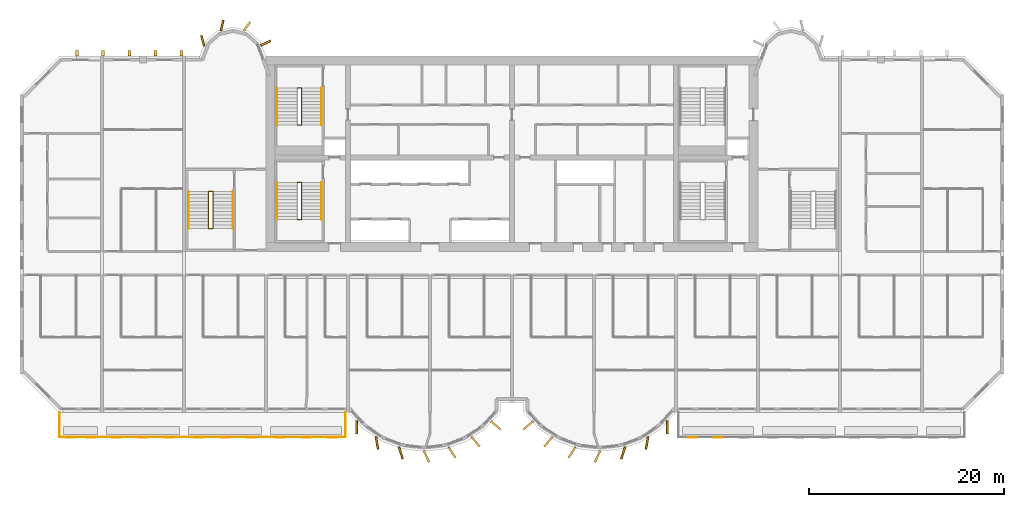
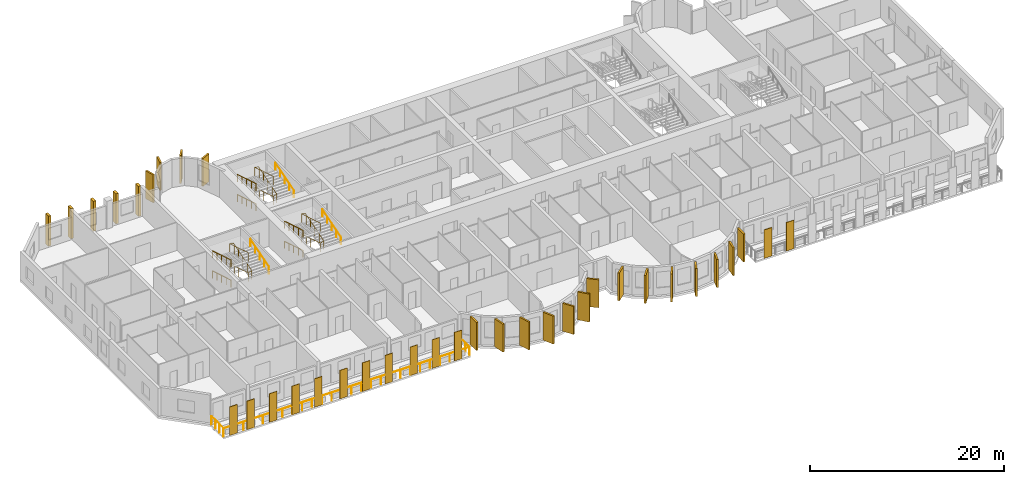
# One storey, part 13 of 15: 36 coverings, 13 railings.
"""IFC4 building model written with IfcOpenShell, lengths in metres."""

from ifc_helpers import new_model, si_unit, direction, frame, origin, origin_2d, place, context, subcontext, project, spatial, rectangle, circle, extrude, source, transform, mapped, material, layer, layer_set, material_profile, profile_set, type_object, element, save


model = new_model("IFC4")

# Units and contexts
model_context = context("Model", 3, precision=1e-05, world=origin(), true_north=direction((0.0, 1.0)))
body_context = subcontext(model_context, "Body", "Model", "MODEL_VIEW")
ifc_project = project(units=[si_unit("LENGTHUNIT", "METRE"), si_unit("AREAUNIT", "SQUARE_METRE"), si_unit("VOLUMEUNIT", "CUBIC_METRE"), si_unit("PLANEANGLEUNIT", "RADIAN"), si_unit("MASSUNIT", "GRAM", prefix="KILO")], contexts=[model_context])

# Site, building, storey
site_placement = place(None, origin())
site = spatial("IfcSite", under=ifc_project, at=site_placement, CompositionType="ELEMENT")
building_placement = place(site_placement, origin())
building = spatial("IfcBuilding", under=site, at=building_placement, Name="Vanashikhar Sky Hotel", CompositionType="ELEMENT")
storey_placement = place(building_placement, frame((0.0, 0.0, 133.199951171875)))
storey = spatial("IfcBuildingStorey", under=building, at=storey_placement, Name="L32", CompositionType="ELEMENT", Elevation=133.199951171875)

# Railing
ifc_material_1 = material(Name="Stainless steel 316", Category="steel")
railing_type_1 = type_object("IfcRailingType", Name="Balcony guard 1100", PredefinedType="GUARDRAIL", material=ifc_material_1)
shared_shape_1 = source(origin(), body_context, "Body", "SweptSolid", [
    extrude(circle(Radius=0.02392578125, at=origin_2d()), frame((0.0, 0.0, 1.076171875), z_axis=(0.0, -1.0, 0.0), x_axis=(1.0, 0.0, 0.0)), (0.0, 0.0, 1.0), 2.5),
    extrude(circle(Radius=0.02392578125, at=origin_2d()), frame((0.0, -2.5, 1.076171875), z_axis=(1.0, 0.0, 0.0), x_axis=(0.0, 1.0, 0.0)), (0.0, 0.0, 1.0), 29.280029296875),
    extrude(circle(Radius=0.02392578125, at=origin_2d()), frame((29.280029296875, -2.5, 1.076171875), z_axis=(0.0, 1.0, 0.0), x_axis=(-1.0, 0.0, 0.0)), (0.0, 0.0, 1.0), 2.5),
    extrude(circle(Radius=0.02099609375, at=origin_2d()), origin(), (0.0, 0.0, 1.0), 1.052001953125),
    extrude(circle(Radius=0.02099609375, at=origin_2d()), frame((0.0, -0.833251953125, 0.0)), (0.0, 0.0, 1.0), 1.052001953125),
    extrude(circle(Radius=0.02099609375, at=origin_2d()), frame((0.0, -1.666748046875, 0.0)), (0.0, 0.0, 1.0), 1.052001953125),
    extrude(circle(Radius=0.02099609375, at=origin_2d()), frame((0.0, -2.5, 0.0)), (0.0, 0.0, 1.0), 1.052001953125),
    extrude(circle(Radius=0.02099609375, at=origin_2d()), frame((1.171142578125, -2.5, 0.0)), (0.0, 0.0, 1.0), 1.052001953125),
    extrude(circle(Radius=0.02099609375, at=origin_2d()), frame((2.34228515625, -2.5, 0.0)), (0.0, 0.0, 1.0), 1.052001953125),
    extrude(circle(Radius=0.02099609375, at=origin_2d()), frame((3.513671875, -2.5, 0.0)), (0.0, 0.0, 1.0), 1.052001953125),
    extrude(circle(Radius=0.02099609375, at=origin_2d()), frame((4.684814453125, -2.5, 0.0)), (0.0, 0.0, 1.0), 1.052001953125),
    extrude(circle(Radius=0.02099609375, at=origin_2d()), frame((5.85595703125, -2.5, 0.0)), (0.0, 0.0, 1.0), 1.052001953125),
    extrude(circle(Radius=0.02099609375, at=origin_2d()), frame((7.027099609375, -2.5, 0.0)), (0.0, 0.0, 1.0), 1.052001953125),
    extrude(circle(Radius=0.02099609375, at=origin_2d()), frame((8.198486328125, -2.5, 0.0)), (0.0, 0.0, 1.0), 1.052001953125),
    extrude(circle(Radius=0.02099609375, at=origin_2d()), frame((9.36962890625, -2.5, 0.0)), (0.0, 0.0, 1.0), 1.052001953125),
    extrude(circle(Radius=0.02099609375, at=origin_2d()), frame((10.540771484375, -2.5, 0.0)), (0.0, 0.0, 1.0), 1.052001953125),
    extrude(circle(Radius=0.02099609375, at=origin_2d()), frame((11.7119140625, -2.5, 0.0)), (0.0, 0.0, 1.0), 1.052001953125),
    extrude(circle(Radius=0.02099609375, at=origin_2d()), frame((12.88330078125, -2.5, 0.0)), (0.0, 0.0, 1.0), 1.052001953125),
    extrude(circle(Radius=0.02099609375, at=origin_2d()), frame((14.054443359375, -2.5, 0.0)), (0.0, 0.0, 1.0), 1.052001953125),
    extrude(circle(Radius=0.02099609375, at=origin_2d()), frame((15.2255859375, -2.5, 0.0)), (0.0, 0.0, 1.0), 1.052001953125),
    extrude(circle(Radius=0.02099609375, at=origin_2d()), frame((16.396728515625, -2.5, 0.0)), (0.0, 0.0, 1.0), 1.052001953125),
    extrude(circle(Radius=0.02099609375, at=origin_2d()), frame((17.568115234375, -2.5, 0.0)), (0.0, 0.0, 1.0), 1.052001953125),
    extrude(circle(Radius=0.02099609375, at=origin_2d()), frame((18.7392578125, -2.5, 0.0)), (0.0, 0.0, 1.0), 1.052001953125),
    extrude(circle(Radius=0.02099609375, at=origin_2d()), frame((19.910400390625, -2.5, 0.0)), (0.0, 0.0, 1.0), 1.052001953125),
    extrude(circle(Radius=0.02099609375, at=origin_2d()), frame((21.08154296875, -2.5, 0.0)), (0.0, 0.0, 1.0), 1.052001953125),
    extrude(circle(Radius=0.02099609375, at=origin_2d()), frame((22.2529296875, -2.5, 0.0)), (0.0, 0.0, 1.0), 1.052001953125),
    extrude(circle(Radius=0.02099609375, at=origin_2d()), frame((23.424072265625, -2.5, 0.0)), (0.0, 0.0, 1.0), 1.052001953125),
    extrude(circle(Radius=0.02099609375, at=origin_2d()), frame((24.59521484375, -2.5, 0.0)), (0.0, 0.0, 1.0), 1.052001953125),
    extrude(circle(Radius=0.02099609375, at=origin_2d()), frame((25.766357421875, -2.5, 0.0)), (0.0, 0.0, 1.0), 1.052001953125),
    extrude(circle(Radius=0.02099609375, at=origin_2d()), frame((26.937744140625, -2.5, 0.0)), (0.0, 0.0, 1.0), 1.052001953125),
    extrude(circle(Radius=0.02099609375, at=origin_2d()), frame((28.10888671875, -2.5, 0.0)), (0.0, 0.0, 1.0), 1.052001953125),
    extrude(circle(Radius=0.02099609375, at=origin_2d()), frame((29.280029296875, -2.5, 0.0)), (0.0, 0.0, 1.0), 1.052001953125),
    extrude(circle(Radius=0.02099609375, at=origin_2d()), frame((29.280029296875, -1.666748046875, 0.0)), (0.0, 0.0, 1.0), 1.052001953125),
    extrude(circle(Radius=0.02099609375, at=origin_2d()), frame((29.280029296875, -0.833251953125, 0.0)), (0.0, 0.0, 1.0), 1.052001953125),
    extrude(circle(Radius=0.02099609375, at=origin_2d()), frame((29.280029296875, 0.0, 0.0)), (0.0, 0.0, 1.0), 1.052001953125),
])
railing_1_placement = place(storey_placement, frame((4.06005859375, 5.5, -0.050048828125)))
element("IfcRailing", 1, at=railing_1_placement, inside=storey, type_object=railing_type_1, Name="Balcony guard", PredefinedType="GUARDRAIL", context=body_context, shape_type="MappedRepresentation", body=[
    mapped(shared_shape_1, transform((0.0, 0.0, 0.0), scale=1.0)),
])

# Coverings
ifc_material_2 = material(Name="Terracotta", Category="masonry")
ifc_layer = layer(ifc_material_2, 0.06005859375)
ifc_layer_set = layer_set([ifc_layer], Name="Terracotta baguette screen")
covering_type_1 = type_object("IfcCoveringType", Name="Terracotta baguette screen", PredefinedType="CLADDING", material=ifc_layer_set)
shared_shape_2 = source(origin(), body_context, "Body", "SweptSolid", [
    extrude(rectangle(XDim=0.89990234375, YDim=0.06005859375, at=origin_2d()), origin(), (0.0, 0.0, 1.0), 3.60009765625),
])
for number, where, z_axis, x_axis, name in (
    (2, (5.175048828125, 2.929931640625, -0.050048828125), (0.0, 0.0, 1.0), (1.0, 0.0, 0.0), "Terracotta screen"),
    (3, (7.22509765625, 2.929931640625, -0.050048828125), (0.0, 0.0, 1.0), (1.0, 0.0, 0.0), "Terracotta screen"),
    (4, (9.89990234375, 2.929931640625, -0.050048828125), (0.0, 0.0, 1.0), (1.0, 0.0, 0.0), "Terracotta screen"),
    (5, (12.60009765625, 2.929931640625, -0.050048828125), (0.0, 0.0, 1.0), (1.0, 0.0, 0.0), "Terracotta screen"),
    (6, (15.300048828125, 2.929931640625, -0.050048828125), (0.0, 0.0, 1.0), (1.0, 0.0, 0.0), "Terracotta screen"),
    (7, (18.300048828125, 2.929931640625, -0.050048828125), (0.0, 0.0, 1.0), (1.0, 0.0, 0.0), "Terracotta screen"),
    (8, (21.0, 2.929931640625, -0.050048828125), (0.0, 0.0, 1.0), (1.0, 0.0, 0.0), "Terracotta screen"),
    (9, (23.699951171875, 2.929931640625, -0.050048828125), (0.0, 0.0, 1.0), (1.0, 0.0, 0.0), "Terracotta screen"),
    (10, (26.666748046875, 2.929931640625, -0.050048828125), (0.0, 0.0, 1.0), (1.0, 0.0, 0.0), "Terracotta screen"),
    (11, (29.300048828125, 2.929931640625, -0.050048828125), (0.0, 0.0, 1.0), (1.0, 0.0, 0.0), "Terracotta screen"),
    (12, (31.933349609375, 2.929931640625, -0.050048828125), (0.0, 0.0, 1.0), (1.0, 0.0, 0.0), "Terracotta screen"),
    (13, (68.86669921875, 2.929931640625, -0.050048828125), (0.0, 0.0, 1.0), (1.0, 0.0, 0.0), "Terracotta screen"),
    (14, (71.5, 2.929931640625, -0.050048828125), (0.0, 0.0, 1.0), (1.0, 0.0, 0.0), "Terracotta screen"),
):
    element("IfcCovering", number, at=place(storey_placement, frame(where, z_axis=z_axis, x_axis=x_axis)), inside=storey, type_object=covering_type_1, Name=name, PredefinedType="CLADDING", context=body_context, shape_type="MappedRepresentation", body=[
        mapped(shared_shape_2, transform((0.0, 0.0, 0.0), scale=1.0)),
    ])
ifc_material_3 = material(Name="Concrete M60 dark", Category="concrete")
ifc_material_profile_1 = material_profile(ifc_material_3, rectangle(XDim=1.300048828125, YDim=0.199951171875, at=origin_2d()))
ifc_profile_set_1 = profile_set([ifc_material_profile_1], Name="Fin 1300 x 200")
covering_type_2 = type_object("IfcCoveringType", Name="Fin 1300 x 200", PredefinedType="CLADDING", material=ifc_profile_set_1)
shared_shape_3 = source(origin(), body_context, "Body", "SweptSolid", [
    extrude(rectangle(XDim=1.300048828125, YDim=0.199951171875, at=origin_2d()), origin(), (0.0, 0.0, 1.0), 3.52001953125),
])
for number, where, z_axis, x_axis, name in (
    (15, (34.482421875, 3.992919921875, 0.0), (0.0, 0.0, 1.0), (0.011588726826, -0.999932848451, 0.0), "Fin F1-1"),
    (16, (36.572509765625, 2.3779296875, 0.0), (0.0, 0.0, 1.0), (0.16989991575, -0.985461322746, 0.0), "Fin F1-2"),
    (17, (39.00830078125, 1.35693359375, 0.0), (0.0, 0.0, 1.0), (0.303966551867, -0.952682704444, 0.0), "Fin F1-3"),
    (18, (41.63232421875, 1.00146484375, 0.0), (0.0, 0.0, 1.0), (0.422618261741, -0.906307787037, 0.0), "Fin F1-4"),
    (19, (44.251953125, 1.416015625, 0.0), (0.0, 0.0, 1.0), (0.534411358496, -0.845224526331, 0.0), "Fin F1-5"),
    (20, (46.676025390625, 2.5, 0.0), (0.0, 0.0, 1.0), (0.645697609467, -0.763593214433, 0.0), "Fin F1-6"),
    (21, (48.7412109375, 4.1845703125, 0.0), (0.0, 0.0, 1.0), (0.758543912032, -0.65162192529, 0.0), "Fin F1-7"),
    (22, (52.058837890625, 4.1845703125, 0.0), (0.0, 0.0, 1.0), (-0.758543912032, -0.65162192529, 0.0), "Fin F2-1"),
    (23, (54.123779296875, 2.5, 0.0), (0.0, 0.0, 1.0), (-0.645697609467, -0.763593214433, 0.0), "Fin F2-2"),
    (24, (56.547119140625, 1.416015625, 0.0), (0.0, 0.0, 1.0), (-0.534411358496, -0.845224526331, 0.0), "Fin F2-3"),
    (25, (59.16748046875, 1.00146484375, 0.0), (0.0, 0.0, 1.0), (-0.422618261741, -0.906307787037, 0.0), "Fin F2-4"),
    (26, (61.790771484375, 1.35693359375, 0.0), (0.0, 0.0, 1.0), (-0.303966551867, -0.952682704444, 0.0), "Fin F2-5"),
    (27, (64.2275390625, 2.3779296875, 0.0), (0.0, 0.0, 1.0), (-0.16989991575, -0.985461322746, 0.0), "Fin F2-6"),
    (28, (66.317626953125, 3.992919921875, 0.0), (0.0, 0.0, 1.0), (-0.011588726826, -0.999932848451, 0.0), "Fin F2-7"),
):
    element("IfcCovering", number, at=place(storey_placement, frame(where, z_axis=z_axis, x_axis=x_axis)), inside=storey, type_object=covering_type_2, Name=name, PredefinedType="CLADDING", context=body_context, shape_type="MappedRepresentation", body=[
        mapped(shared_shape_3, transform((0.0, 0.0, 0.0), scale=1.0)),
    ])
ifc_material_profile_2 = material_profile(ifc_material_3, rectangle(XDim=1.10009765625, YDim=0.199951171875, at=origin_2d()))
ifc_profile_set_2 = profile_set([ifc_material_profile_2], Name="Rear lobe fin 1100 x 200")
covering_type_3 = type_object("IfcCoveringType", Name="Rear lobe fin 1100 x 200", PredefinedType="CLADDING", material=ifc_profile_set_2)
shared_shape_4 = source(origin(), body_context, "Body", "SweptSolid", [
    extrude(rectangle(XDim=1.10009765625, YDim=0.199951171875, at=origin_2d()), origin(), (0.0, 0.0, 1.0), 3.52001953125),
])
for number, where, z_axis, x_axis, name in (
    (29, (18.720703125, 43.580078125, 0.0), (0.0, 0.0, 1.0), (-0.262711264409, 0.964874495234, 0.0), "Fin R1-1"),
    (30, (20.710205078125, 45.1455078125, 0.0), (0.0, 0.0, 1.0), (0.224644935864, 0.974440687159, 0.0), "Fin R1-2"),
    (31, (23.261962890625, 45.06640625, 0.0), (0.0, 0.0, 1.0), (0.602065892195, 0.798446404874, 0.0), "Fin R1-3"),
    (32, (25.169677734375, 43.33447265625, 0.0), (0.0, 0.0, 1.0), (0.908004291068, 0.418960866193, 0.0), "Fin R1-4"),
):
    element("IfcCovering", number, at=place(storey_placement, frame(where, z_axis=z_axis, x_axis=x_axis)), inside=storey, type_object=covering_type_3, Name=name, PredefinedType="CLADDING", context=body_context, shape_type="MappedRepresentation", body=[
        mapped(shared_shape_4, transform((0.0, 0.0, 0.0), scale=1.0)),
    ])
ifc_material_profile_3 = material_profile(ifc_material_3, rectangle(XDim=0.60009765625, YDim=0.300048828125, at=origin_2d()))
ifc_profile_set_3 = profile_set([ifc_material_profile_3], Name="Rear rib 600 x 300")
covering_type_4 = type_object("IfcCoveringType", Name="Rear rib 600 x 300", PredefinedType="CLADDING", material=ifc_profile_set_3)
shared_shape_5 = source(origin(), body_context, "Body", "SweptSolid", [
    extrude(rectangle(XDim=0.60009765625, YDim=0.300048828125, at=origin_2d()), origin(), (0.0, 0.0, 1.0), 3.800048828125),
])
for number, where, z_axis, x_axis, name in (
    (33, (5.840087890625, 42.300048828125, -0.280029296875), (0.0, 0.0, 1.0), (0.0, 1.0, 0.0), "Rear rib"),
    (34, (8.52001953125, 42.300048828125, -0.280029296875), (0.0, 0.0, 1.0), (0.0, 1.0, 0.0), "Rear rib"),
    (35, (11.199951171875, 42.300048828125, -0.280029296875), (0.0, 0.0, 1.0), (0.0, 1.0, 0.0), "Rear rib"),
    (36, (13.8798828125, 42.300048828125, -0.280029296875), (0.0, 0.0, 1.0), (0.0, 1.0, 0.0), "Rear rib"),
    (37, (16.56005859375, 42.300048828125, -0.280029296875), (0.0, 0.0, 1.0), (0.0, 1.0, 0.0), "Rear rib"),
):
    element("IfcCovering", number, at=place(storey_placement, frame(where, z_axis=z_axis, x_axis=x_axis)), inside=storey, type_object=covering_type_4, Name=name, PredefinedType="CLADDING", context=body_context, shape_type="MappedRepresentation", body=[
        mapped(shared_shape_5, transform((0.0, 0.0, 0.0), scale=1.0)),
    ])

# Railings
ifc_material_4 = material(Name="Steel S355", Category="steel")
railing_type_2 = type_object("IfcRailingType", Name="Stair handrail 900", PredefinedType="HANDRAIL", material=ifc_material_4)
shared_shape_6 = source(origin(), body_context, "Body", "SweptSolid", [
    extrude(circle(Radius=0.02392578125, at=origin_2d()), frame((0.0, 0.0, 0.8759765625), z_axis=(0.0, 0.95635109408, 0.292220096591), x_axis=(-1.0, 0.0, 0.0)), (0.0, 0.0, 1.0), 3.973388671875),
    extrude(circle(Radius=0.02099609375, at=origin_2d()), origin(), (0.0, 0.0, 1.0), 0.851806640625),
    extrude(circle(Radius=0.02099609375, at=origin_2d()), frame((0.0, 0.949951171875, 0.290283203125)), (0.0, 0.0, 1.0), 0.851806640625),
    extrude(circle(Radius=0.02099609375, at=origin_2d()), frame((0.0, 1.89990234375, 0.58056640625)), (0.0, 0.0, 1.0), 0.851806640625),
    extrude(circle(Radius=0.02099609375, at=origin_2d()), frame((0.0, 2.85009765625, 0.870849609375)), (0.0, 0.0, 1.0), 0.851806640625),
    extrude(circle(Radius=0.02099609375, at=origin_2d()), frame((0.0, 3.800048828125, 1.1611328125)), (0.0, 0.0, 1.0), 0.851806640625),
])
for number, where, name in (
    (38, (30.89990234375, 25.25, 1.372314453125), "Exit stair 1 handrail"),
    (39, (30.89990234375, 34.949951171875, 1.372314453125), "Exit stair 5 handrail"),
):
    element("IfcRailing", number, at=place(storey_placement, frame(where)), inside=storey, type_object=railing_type_2, Name=name, PredefinedType="HANDRAIL", context=body_context, shape_type="MappedRepresentation", body=[
        mapped(shared_shape_6, transform((0.0, 0.0, 0.0), scale=1.0)),
    ])
shared_shape_7 = source(origin(), body_context, "Body", "SweptSolid", [
    extrude(circle(Radius=0.02392578125, at=origin_2d()), frame((0.0, 0.0, 0.8759765625), z_axis=(0.0, -0.95635109408, 0.292220096591), x_axis=(1.0, 0.0, 0.0)), (0.0, 0.0, 1.0), 3.973388671875),
    extrude(circle(Radius=0.02099609375, at=origin_2d()), origin(), (0.0, 0.0, 1.0), 0.851806640625),
    extrude(circle(Radius=0.02099609375, at=origin_2d()), frame((0.0, -0.949951171875, 0.290283203125)), (0.0, 0.0, 1.0), 0.851806640625),
    extrude(circle(Radius=0.02099609375, at=origin_2d()), frame((0.0, -1.89990234375, 0.58056640625)), (0.0, 0.0, 1.0), 0.851806640625),
    extrude(circle(Radius=0.02099609375, at=origin_2d()), frame((0.0, -2.85009765625, 0.870849609375)), (0.0, 0.0, 1.0), 0.851806640625),
    extrude(circle(Radius=0.02099609375, at=origin_2d()), frame((0.0, -3.800048828125, 1.1611328125)), (0.0, 0.0, 1.0), 0.851806640625),
])
for number, where, name in (
    (40, (26.35009765625, 29.050048828125, 2.638916015625), "Exit stair 1 handrail"),
    (41, (26.35009765625, 38.75, 2.638916015625), "Exit stair 5 handrail"),
):
    element("IfcRailing", number, at=place(storey_placement, frame(where)), inside=storey, type_object=railing_type_2, Name=name, PredefinedType="HANDRAIL", context=body_context, shape_type="MappedRepresentation", body=[
        mapped(shared_shape_7, transform((0.0, 0.0, 0.0), scale=1.0)),
    ])
railing_type_3 = type_object("IfcRailingType", Name="Stair guard 1100", PredefinedType="GUARDRAIL", material=ifc_material_4)
shared_shape_8 = source(origin(), body_context, "Body", "SweptSolid", [
    extrude(circle(Radius=0.02392578125, at=origin_2d()), frame((0.0, 0.0, 1.076171875), z_axis=(-0.973520925263, 0.0, 0.228597917917), x_axis=(0.0, -1.0, 0.0)), (0.0, 0.0, 1.0), 0.46240234375),
    extrude(circle(Radius=0.02392578125, at=origin_2d()), frame((-0.4501953125, 0.0, 1.181640625), z_axis=(0.0, -0.956368263741, 0.292163899395), x_axis=(1.0, 0.0, 0.0)), (0.0, 0.0, 1.0), 3.973388671875),
    extrude(circle(Radius=0.02392578125, at=origin_2d()), frame((-0.4501953125, -3.800048828125, 2.3427734375), z_axis=(0.973520925263, 0.0, 0.228597917917), x_axis=(0.0, 1.0, 0.0)), (0.0, 0.0, 1.0), 0.46240234375),
    extrude(circle(Radius=0.02392578125, at=origin_2d()), frame((0.0, -3.800048828125, 2.4482421875), z_axis=(0.0, 0.95635109408, 0.292220096591), x_axis=(-1.0, 0.0, 0.0)), (0.0, 0.0, 1.0), 3.973388671875),
    extrude(circle(Radius=0.02392578125, at=origin_2d()), frame((0.0, 0.0, 3.609375), z_axis=(-0.973638301096, 0.0, 0.228097476179), x_axis=(0.0, -1.0, 0.0)), (0.0, 0.0, 1.0), 0.46240234375),
    extrude(circle(Radius=0.02392578125, at=origin_2d()), frame((-0.4501953125, 0.0, 3.71484375), z_axis=(0.0, -0.95635109408, 0.292220096591), x_axis=(1.0, 0.0, 0.0)), (0.0, 0.0, 1.0), 3.973388671875),
    extrude(circle(Radius=0.02099609375, at=origin_2d()), origin(), (0.0, 0.0, 1.0), 1.052001953125),
    extrude(circle(Radius=0.02099609375, at=origin_2d()), frame((-0.4501953125, 0.0, 0.105712890625)), (0.0, 0.0, 1.0), 1.052001953125),
    extrude(circle(Radius=0.02099609375, at=origin_2d()), frame((-0.4501953125, -0.949951171875, 0.39599609375)), (0.0, 0.0, 1.0), 1.052001953125),
    extrude(circle(Radius=0.02099609375, at=origin_2d()), frame((-0.4501953125, -1.89990234375, 0.68603515625)), (0.0, 0.0, 1.0), 1.052001953125),
    extrude(circle(Radius=0.02099609375, at=origin_2d()), frame((-0.4501953125, -2.85009765625, 0.976318359375)), (0.0, 0.0, 1.0), 1.052001953125),
    extrude(circle(Radius=0.02099609375, at=origin_2d()), frame((-0.4501953125, -3.800048828125, 1.2666015625)), (0.0, 0.0, 1.0), 1.052001953125),
    extrude(circle(Radius=0.02099609375, at=origin_2d()), frame((0.0, -3.800048828125, 1.372314453125)), (0.0, 0.0, 1.0), 1.052001953125),
    extrude(circle(Radius=0.02099609375, at=origin_2d()), frame((0.0, -2.85009765625, 1.66259765625)), (0.0, 0.0, 1.0), 1.052001953125),
    extrude(circle(Radius=0.02099609375, at=origin_2d()), frame((0.0, -1.89990234375, 1.952880859375)), (0.0, 0.0, 1.0), 1.052001953125),
    extrude(circle(Radius=0.02099609375, at=origin_2d()), frame((0.0, -0.949951171875, 2.2431640625)), (0.0, 0.0, 1.0), 1.052001953125),
    extrude(circle(Radius=0.02099609375, at=origin_2d()), frame((0.0, 0.0, 2.533447265625)), (0.0, 0.0, 1.0), 1.052001953125),
    extrude(circle(Radius=0.02099609375, at=origin_2d()), frame((-0.4501953125, 0.0, 2.638916015625)), (0.0, 0.0, 1.0), 1.052001953125),
    extrude(circle(Radius=0.02099609375, at=origin_2d()), frame((-0.4501953125, -0.949951171875, 2.92919921875)), (0.0, 0.0, 1.0), 1.052001953125),
    extrude(circle(Radius=0.02099609375, at=origin_2d()), frame((-0.4501953125, -1.89990234375, 3.219482421875)), (0.0, 0.0, 1.0), 1.052001953125),
    extrude(circle(Radius=0.02099609375, at=origin_2d()), frame((-0.4501953125, -2.85009765625, 3.509765625)), (0.0, 0.0, 1.0), 1.052001953125),
    extrude(circle(Radius=0.02099609375, at=origin_2d()), frame((-0.4501953125, -3.800048828125, 3.800048828125)), (0.0, 0.0, 1.0), 1.052001953125),
])
for number, where, name in (
    (42, (28.85009765625, 29.050048828125, 0.0), "Exit stair 1 guard"),
    (43, (28.85009765625, 38.75, 0.0), "Exit stair 5 guard"),
):
    element("IfcRailing", number, at=place(storey_placement, frame(where)), inside=storey, type_object=railing_type_3, Name=name, PredefinedType="GUARDRAIL", context=body_context, shape_type="MappedRepresentation", body=[
        mapped(shared_shape_8, transform((0.0, 0.0, 0.0), scale=1.0)),
    ])
shared_shape_9 = source(origin(), body_context, "Body", "SweptSolid", [
    extrude(circle(Radius=0.02392578125, at=origin_2d()), frame((0.0, 0.0, 0.8759765625), z_axis=(0.0, -0.956368263741, 0.292163899395), x_axis=(1.0, 0.0, 0.0)), (0.0, 0.0, 1.0), 3.973388671875),
    extrude(circle(Radius=0.02099609375, at=origin_2d()), origin(), (0.0, 0.0, 1.0), 0.851806640625),
    extrude(circle(Radius=0.02099609375, at=origin_2d()), frame((0.0, -0.949951171875, 0.290283203125)), (0.0, 0.0, 1.0), 0.851806640625),
    extrude(circle(Radius=0.02099609375, at=origin_2d()), frame((0.0, -1.89990234375, 0.58056640625)), (0.0, 0.0, 1.0), 0.851806640625),
    extrude(circle(Radius=0.02099609375, at=origin_2d()), frame((0.0, -2.85009765625, 0.87060546875)), (0.0, 0.0, 1.0), 0.851806640625),
    extrude(circle(Radius=0.02099609375, at=origin_2d()), frame((0.0, -3.800048828125, 1.160888671875)), (0.0, 0.0, 1.0), 0.851806640625),
])
for number, where, name in (
    (44, (26.35009765625, 29.050048828125, 0.105712890625), "Exit stair 1 handrail"),
    (45, (26.35009765625, 38.75, 0.105712890625), "Exit stair 5 handrail"),
):
    element("IfcRailing", number, at=place(storey_placement, frame(where)), inside=storey, type_object=railing_type_2, Name=name, PredefinedType="HANDRAIL", context=body_context, shape_type="MappedRepresentation", body=[
        mapped(shared_shape_9, transform((0.0, 0.0, 0.0), scale=1.0)),
    ])
shared_shape_10 = source(origin(), body_context, "Body", "SweptSolid", [
    extrude(circle(Radius=0.02392578125, at=origin_2d()), frame((0.0, 0.0, 0.8759765625), z_axis=(0.0, 0.956345846891, 0.292237268557), x_axis=(-1.0, 0.0, 0.0)), (0.0, 0.0, 1.0), 3.97314453125),
    extrude(circle(Radius=0.02099609375, at=origin_2d()), origin(), (0.0, 0.0, 1.0), 0.851806640625),
    extrude(circle(Radius=0.02099609375, at=origin_2d()), frame((0.0, 0.949951171875, 0.290283203125)), (0.0, 0.0, 1.0), 0.851806640625),
    extrude(circle(Radius=0.02099609375, at=origin_2d()), frame((0.0, 1.89990234375, 0.58056640625)), (0.0, 0.0, 1.0), 0.851806640625),
    extrude(circle(Radius=0.02099609375, at=origin_2d()), frame((0.0, 2.849853515625, 0.870849609375)), (0.0, 0.0, 1.0), 0.851806640625),
    extrude(circle(Radius=0.02099609375, at=origin_2d()), frame((0.0, 3.7998046875, 1.1611328125)), (0.0, 0.0, 1.0), 0.851806640625),
])
railing_2_placement = place(storey_placement, frame((21.800048828125, 24.35009765625, 1.372314453125)))
element("IfcRailing", 46, at=railing_2_placement, inside=storey, type_object=railing_type_2, Name="Exit stair 3 handrail", PredefinedType="HANDRAIL", context=body_context, shape_type="MappedRepresentation", body=[
    mapped(shared_shape_10, transform((0.0, 0.0, 0.0), scale=1.0)),
])
shared_shape_11 = source(origin(), body_context, "Body", "SweptSolid", [
    extrude(circle(Radius=0.02392578125, at=origin_2d()), frame((0.0, 0.0, 0.8759765625), z_axis=(0.0, -0.956345846891, 0.292237268557), x_axis=(1.0, 0.0, 0.0)), (0.0, 0.0, 1.0), 3.97314453125),
    extrude(circle(Radius=0.02099609375, at=origin_2d()), origin(), (0.0, 0.0, 1.0), 0.851806640625),
    extrude(circle(Radius=0.02099609375, at=origin_2d()), frame((0.0, -0.949951171875, 0.290283203125)), (0.0, 0.0, 1.0), 0.851806640625),
    extrude(circle(Radius=0.02099609375, at=origin_2d()), frame((0.0, -1.89990234375, 0.58056640625)), (0.0, 0.0, 1.0), 0.851806640625),
    extrude(circle(Radius=0.02099609375, at=origin_2d()), frame((0.0, -2.849853515625, 0.870849609375)), (0.0, 0.0, 1.0), 0.851806640625),
    extrude(circle(Radius=0.02099609375, at=origin_2d()), frame((0.0, -3.7998046875, 1.1611328125)), (0.0, 0.0, 1.0), 0.851806640625),
])
railing_3_placement = place(storey_placement, frame((17.25, 28.14990234375, 2.638916015625)))
element("IfcRailing", 47, at=railing_3_placement, inside=storey, type_object=railing_type_2, Name="Exit stair 3 handrail", PredefinedType="HANDRAIL", context=body_context, shape_type="MappedRepresentation", body=[
    mapped(shared_shape_11, transform((0.0, 0.0, 0.0), scale=1.0)),
])
shared_shape_12 = source(origin(), body_context, "Body", "SweptSolid", [
    extrude(circle(Radius=0.02392578125, at=origin_2d()), frame((0.0, 0.0, 1.076171875), z_axis=(-0.973493315427, 0.0, 0.228715466945), x_axis=(0.0, -1.0, 0.0)), (0.0, 0.0, 1.0), 0.462158203125),
    extrude(circle(Radius=0.02392578125, at=origin_2d()), frame((-0.449951171875, 0.0, 1.181640625), z_axis=(0.0, -0.956363018476, 0.292181068675), x_axis=(1.0, 0.0, 0.0)), (0.0, 0.0, 1.0), 3.97314453125),
    extrude(circle(Radius=0.02392578125, at=origin_2d()), frame((-0.449951171875, -3.7998046875, 2.3427734375), z_axis=(0.973493315427, 0.0, 0.228715466945), x_axis=(0.0, 1.0, 0.0)), (0.0, 0.0, 1.0), 0.462158203125),
    extrude(circle(Radius=0.02392578125, at=origin_2d()), frame((0.0, -3.7998046875, 2.4482421875), z_axis=(0.0, 0.956345846891, 0.292237268557), x_axis=(-1.0, 0.0, 0.0)), (0.0, 0.0, 1.0), 3.97314453125),
    extrude(circle(Radius=0.02392578125, at=origin_2d()), frame((0.0, 0.0, 3.609375), z_axis=(-0.973610808694, 0.0, 0.228214796178), x_axis=(0.0, -1.0, 0.0)), (0.0, 0.0, 1.0), 0.462158203125),
    extrude(circle(Radius=0.02392578125, at=origin_2d()), frame((-0.449951171875, 0.0, 3.71484375), z_axis=(0.0, -0.956345846891, 0.292237268557), x_axis=(1.0, 0.0, 0.0)), (0.0, 0.0, 1.0), 3.97314453125),
    extrude(circle(Radius=0.02099609375, at=origin_2d()), origin(), (0.0, 0.0, 1.0), 1.052001953125),
    extrude(circle(Radius=0.02099609375, at=origin_2d()), frame((-0.449951171875, 0.0, 0.105712890625)), (0.0, 0.0, 1.0), 1.052001953125),
    extrude(circle(Radius=0.02099609375, at=origin_2d()), frame((-0.449951171875, -0.949951171875, 0.39599609375)), (0.0, 0.0, 1.0), 1.052001953125),
    extrude(circle(Radius=0.02099609375, at=origin_2d()), frame((-0.449951171875, -1.89990234375, 0.68603515625)), (0.0, 0.0, 1.0), 1.052001953125),
    extrude(circle(Radius=0.02099609375, at=origin_2d()), frame((-0.449951171875, -2.849853515625, 0.976318359375)), (0.0, 0.0, 1.0), 1.052001953125),
    extrude(circle(Radius=0.02099609375, at=origin_2d()), frame((-0.449951171875, -3.7998046875, 1.2666015625)), (0.0, 0.0, 1.0), 1.052001953125),
    extrude(circle(Radius=0.02099609375, at=origin_2d()), frame((0.0, -3.7998046875, 1.372314453125)), (0.0, 0.0, 1.0), 1.052001953125),
    extrude(circle(Radius=0.02099609375, at=origin_2d()), frame((0.0, -2.849853515625, 1.66259765625)), (0.0, 0.0, 1.0), 1.052001953125),
    extrude(circle(Radius=0.02099609375, at=origin_2d()), frame((0.0, -1.89990234375, 1.952880859375)), (0.0, 0.0, 1.0), 1.052001953125),
    extrude(circle(Radius=0.02099609375, at=origin_2d()), frame((0.0, -0.949951171875, 2.2431640625)), (0.0, 0.0, 1.0), 1.052001953125),
    extrude(circle(Radius=0.02099609375, at=origin_2d()), frame((0.0, 0.0, 2.533447265625)), (0.0, 0.0, 1.0), 1.052001953125),
    extrude(circle(Radius=0.02099609375, at=origin_2d()), frame((-0.449951171875, 0.0, 2.638916015625)), (0.0, 0.0, 1.0), 1.052001953125),
    extrude(circle(Radius=0.02099609375, at=origin_2d()), frame((-0.449951171875, -0.949951171875, 2.92919921875)), (0.0, 0.0, 1.0), 1.052001953125),
    extrude(circle(Radius=0.02099609375, at=origin_2d()), frame((-0.449951171875, -1.89990234375, 3.219482421875)), (0.0, 0.0, 1.0), 1.052001953125),
    extrude(circle(Radius=0.02099609375, at=origin_2d()), frame((-0.449951171875, -2.849853515625, 3.509765625)), (0.0, 0.0, 1.0), 1.052001953125),
    extrude(circle(Radius=0.02099609375, at=origin_2d()), frame((-0.449951171875, -3.7998046875, 3.800048828125)), (0.0, 0.0, 1.0), 1.052001953125),
])
railing_4_placement = place(storey_placement, frame((19.75, 28.14990234375, 0.0)))
element("IfcRailing", 48, at=railing_4_placement, inside=storey, type_object=railing_type_3, Name="Exit stair 3 guard", PredefinedType="GUARDRAIL", context=body_context, shape_type="MappedRepresentation", body=[
    mapped(shared_shape_12, transform((0.0, 0.0, 0.0), scale=1.0)),
])
shared_shape_13 = source(origin(), body_context, "Body", "SweptSolid", [
    extrude(circle(Radius=0.02392578125, at=origin_2d()), frame((0.0, 0.0, 0.8759765625), z_axis=(0.0, -0.956363018476, 0.292181068675), x_axis=(1.0, 0.0, 0.0)), (0.0, 0.0, 1.0), 3.97314453125),
    extrude(circle(Radius=0.02099609375, at=origin_2d()), origin(), (0.0, 0.0, 1.0), 0.851806640625),
    extrude(circle(Radius=0.02099609375, at=origin_2d()), frame((0.0, -0.949951171875, 0.290283203125)), (0.0, 0.0, 1.0), 0.851806640625),
    extrude(circle(Radius=0.02099609375, at=origin_2d()), frame((0.0, -1.89990234375, 0.58056640625)), (0.0, 0.0, 1.0), 0.851806640625),
    extrude(circle(Radius=0.02099609375, at=origin_2d()), frame((0.0, -2.849853515625, 0.87060546875)), (0.0, 0.0, 1.0), 0.851806640625),
    extrude(circle(Radius=0.02099609375, at=origin_2d()), frame((0.0, -3.7998046875, 1.160888671875)), (0.0, 0.0, 1.0), 0.851806640625),
])
railing_5_placement = place(storey_placement, frame((17.25, 28.14990234375, 0.105712890625)))
element("IfcRailing", 49, at=railing_5_placement, inside=storey, type_object=railing_type_2, Name="Exit stair 3 handrail", PredefinedType="HANDRAIL", context=body_context, shape_type="MappedRepresentation", body=[
    mapped(shared_shape_13, transform((0.0, 0.0, 0.0), scale=1.0)),
])

save(model, "model.ifc")
